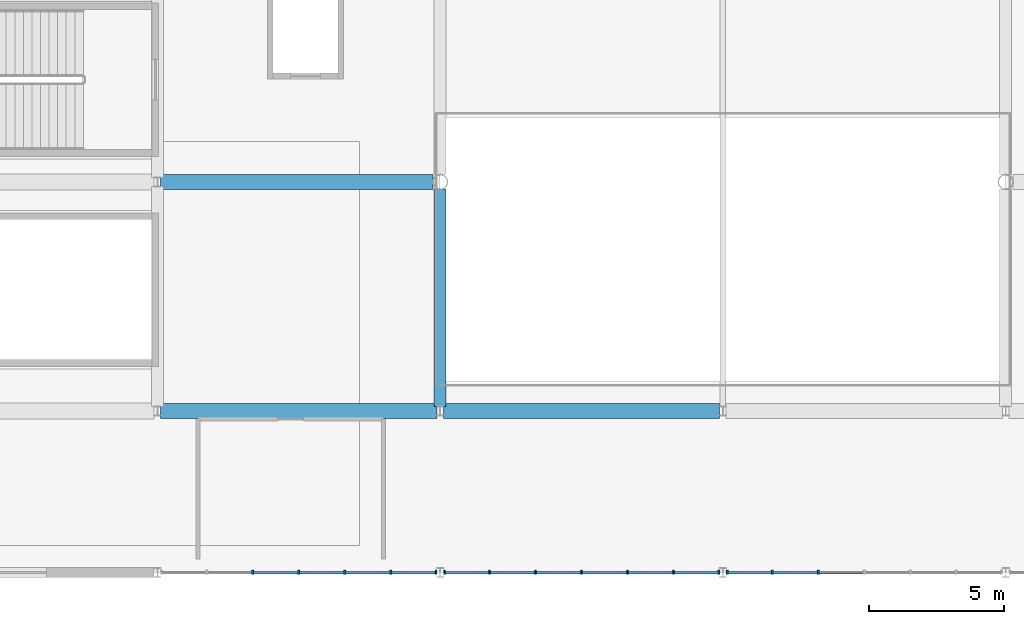
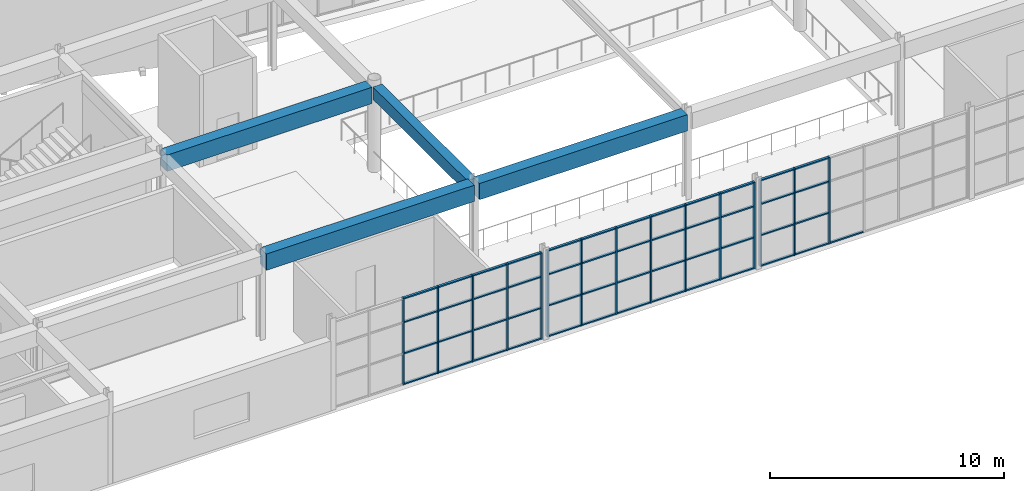
# One storey, part 25 of 112: 64 members, 4 beams, 3 elements without a shape of their own.
"""IFC4 building model written with IfcOpenShell, lengths in metres."""

from ifc_helpers import new_model, si_unit, direction, frame, origin, origin_2d, place, context, subcontext, project, spatial, rectangle, extrude, material, material_profile, profile_set, type_object, element, aggregate, save


model = new_model("IFC4")

# Units and contexts
model_context = context("Model", 3, precision=1e-05, world=origin(), true_north=direction((0.0, 1.0)))
body_context = subcontext(model_context, "Body", "Model", "MODEL_VIEW")
ifc_project = project(units=[si_unit("LENGTHUNIT", "METRE"), si_unit("AREAUNIT", "SQUARE_METRE"), si_unit("VOLUMEUNIT", "CUBIC_METRE"), si_unit("PLANEANGLEUNIT", "RADIAN"), si_unit("MASSUNIT", "GRAM", prefix="KILO")], contexts=[model_context])

# Site, building, storey
site_placement = place(None, origin())
site = spatial("IfcSite", under=ifc_project, at=site_placement, CompositionType="ELEMENT")
building_placement = place(site_placement, origin())
building = spatial("IfcBuilding", under=site, at=building_placement, Name="Cuetzalor Civic Arena", CompositionType="ELEMENT")
storey_placement = place(building_placement, frame((0.0, 0.0, 11.39990234375)))
storey = spatial("IfcBuildingStorey", under=building, at=storey_placement, Name="L02", CompositionType="ELEMENT", Elevation=11.39990234375)

# Beams
ifc_material_1 = material(Name="Concrete C40/50", Category="concrete")
ifc_material_profile_1 = material_profile(ifc_material_1, rectangle(XDim=0.550048828125, YDim=0.85009765625, at=origin_2d()), Name="RC 550x850")
ifc_profile_set_1 = profile_set([ifc_material_profile_1], Name="Concrete C40/50")
beam_type_1 = type_object("IfcBeamType", Name="ConcreteFrameBeam_550x850", PredefinedType="BEAM", material=ifc_profile_set_1)
for number, where, z_axis, x_axis, name in (
    (1, (-20.881591796875, -65.5, 4.09521484375), (1.0, 0.0, 0.0), (0.0, 1.0, 0.0), "Frame Girder V3-L02-X0581"),
    (2, (-10.381591796875, -65.5, 4.09521484375), (1.0, 0.0, 0.0), (0.0, 1.0, 0.0), "Frame Girder V3-L02-X0582"),
):
    element("IfcBeam", number, at=place(storey_placement, frame(where, z_axis=z_axis, x_axis=x_axis)), inside=storey, type_object=beam_type_1, Name=name, PredefinedType="BEAM", context=body_context, shape_type="SweptSolid", body=[
        extrude(rectangle(XDim=0.550048828125, YDim=0.85009765625, at=origin_2d()), origin(), (0.0, 0.0, 1.0), 10.26318359375),
    ])
beam_1_placement = place(storey_placement, frame((-20.881591796875, -57.0, 4.09521484375), z_axis=(1.0, 0.0, 0.0), x_axis=(0.0, 1.0, 0.0)))
element("IfcBeam", 3, at=beam_1_placement, inside=storey, type_object=beam_type_1, Name="Frame Girder V3-L02-X0589", PredefinedType="BEAM", context=body_context, shape_type="SweptSolid", body=[
    extrude(rectangle(XDim=0.550048828125, YDim=0.85009765625, at=origin_2d()), origin(), (0.0, 0.0, 1.0), 10.112060546875),
])
ifc_material_2 = material(Name="Concrete C40/50", Category="concrete")
ifc_material_profile_2 = material_profile(ifc_material_2, rectangle(XDim=0.449951171875, YDim=0.64990234375, at=origin_2d()), Name="RC 450x650")
ifc_profile_set_2 = profile_set([ifc_material_profile_2], Name="Concrete C40/50")
beam_type_2 = type_object("IfcBeamType", Name="ConcreteTieBeam_450x650", PredefinedType="BEAM", material=ifc_profile_set_2)
beam_2_placement = place(storey_placement, frame((-10.5, -65.32861328125, 4.195068359375), z_axis=(0.0, 1.0, 0.0), x_axis=(-1.0, 0.0, 0.0)))
element("IfcBeam", 4, at=beam_2_placement, inside=storey, type_object=beam_type_2, Name="Frame Girder V3-L02-Y0609", PredefinedType="BEAM", context=body_context, shape_type="SweptSolid", body=[
    extrude(rectangle(XDim=0.449951171875, YDim=0.64990234375, at=origin_2d()), origin(), (0.0, 0.0, 1.0), 8.05908203125),
])

# Curtain wall, members
ifc_material_3 = material(Name="Anodised dark bronze aluminium and low-E solar glass", Category="aluminium")
curtain_wall_type = type_object("IfcCurtainWallType", Name="StickCW_10250x4500", PredefinedType="USERDEFINED", material=ifc_material_3)
curtain_wall_1_placement = place(storey_placement, origin())
curtain_wall_1 = element("IfcCurtainWall", 5, at=curtain_wall_1_placement, inside=storey, type_object=curtain_wall_type, Name="South Civic Square Curtain Wall L02-087", ObjectType="STICK CURTAIN WALL", PredefinedType="USERDEFINED")
ifc_material_4 = material(Name="Anodised dark bronze aluminium", Category="aluminium")
ifc_material_profile_3 = material_profile(ifc_material_4, rectangle(XDim=0.06494140625, YDim=0.14990234375, at=origin_2d()), Name="ALU MULLION 65x150")
ifc_profile_set_3 = profile_set([ifc_material_profile_3], Name="Anodised dark bronze aluminium")
member_type_1 = type_object("IfcMemberType", Name="CurtainWallMullion_60x150", PredefinedType="MULLION", material=ifc_profile_set_3)
member_1_placement = place(storey_placement, frame((-10.656982421875, -71.5, 0.0), z_axis=(0.0, 0.0, 1.0), x_axis=(-1.0, 0.0, 0.0)))
member_1 = element("IfcMember", 6, at=member_1_placement, type_object=member_type_1, Name="CW-27 mullion 1", PredefinedType="MULLION", context=body_context, shape_type="SweptSolid", body=[
    extrude(rectangle(XDim=0.06494140625, YDim=0.14990234375, at=origin_2d()), origin(), (0.0, 0.0, 1.0), 4.52001953125),
])
member_2_placement = place(storey_placement, frame((-12.3330078125, -71.5, 0.0), z_axis=(0.0, 0.0, 1.0), x_axis=(-1.0, 0.0, 0.0)))
member_2 = element("IfcMember", 7, at=member_2_placement, type_object=member_type_1, Name="CW-27 mullion 2", PredefinedType="MULLION", context=body_context, shape_type="SweptSolid", body=[
    extrude(rectangle(XDim=0.06494140625, YDim=0.14990234375, at=origin_2d()), origin(), (0.0, 0.0, 1.0), 4.52001953125),
])
member_3_placement = place(storey_placement, frame((-14.04150390625, -71.5, 0.0), z_axis=(0.0, 0.0, 1.0), x_axis=(-1.0, 0.0, 0.0)))
member_3 = element("IfcMember", 8, at=member_3_placement, type_object=member_type_1, Name="CW-27 mullion 3", PredefinedType="MULLION", context=body_context, shape_type="SweptSolid", body=[
    extrude(rectangle(XDim=0.06494140625, YDim=0.14990234375, at=origin_2d()), origin(), (0.0, 0.0, 1.0), 4.52001953125),
])
member_4_placement = place(storey_placement, frame((-15.75, -71.5, 0.0), z_axis=(0.0, 0.0, 1.0), x_axis=(-1.0, 0.0, 0.0)))
member_4 = element("IfcMember", 9, at=member_4_placement, type_object=member_type_1, Name="CW-27 mullion 4", PredefinedType="MULLION", context=body_context, shape_type="SweptSolid", body=[
    extrude(rectangle(XDim=0.06494140625, YDim=0.14990234375, at=origin_2d()), origin(), (0.0, 0.0, 1.0), 4.52001953125),
])
member_5_placement = place(storey_placement, frame((-17.45849609375, -71.5, 0.0), z_axis=(0.0, 0.0, 1.0), x_axis=(-1.0, 0.0, 0.0)))
member_5 = element("IfcMember", 10, at=member_5_placement, type_object=member_type_1, Name="CW-27 mullion 5", PredefinedType="MULLION", context=body_context, shape_type="SweptSolid", body=[
    extrude(rectangle(XDim=0.06494140625, YDim=0.14990234375, at=origin_2d()), origin(), (0.0, 0.0, 1.0), 4.52001953125),
])

curtain_wall_2_placement = place(storey_placement, origin())
curtain_wall_2 = element("IfcCurtainWall", 11, at=curtain_wall_2_placement, inside=storey, type_object=curtain_wall_type, Name="South Civic Square Curtain Wall L02-088", ObjectType="STICK CURTAIN WALL", PredefinedType="USERDEFINED")
member_6_placement = place(storey_placement, frame((-0.156982421875, -71.5, 0.0), z_axis=(0.0, 0.0, 1.0), x_axis=(-1.0, 0.0, 0.0)))
member_6 = element("IfcMember", 12, at=member_6_placement, type_object=member_type_1, Name="CW-27 mullion 1", PredefinedType="MULLION", context=body_context, shape_type="SweptSolid", body=[
    extrude(rectangle(XDim=0.06494140625, YDim=0.14990234375, at=origin_2d()), origin(), (0.0, 0.0, 1.0), 4.52001953125),
])
member_7_placement = place(storey_placement, frame((-1.8330078125, -71.5, 0.0), z_axis=(0.0, 0.0, 1.0), x_axis=(-1.0, 0.0, 0.0)))
member_7 = element("IfcMember", 13, at=member_7_placement, type_object=member_type_1, Name="CW-27 mullion 2", PredefinedType="MULLION", context=body_context, shape_type="SweptSolid", body=[
    extrude(rectangle(XDim=0.06494140625, YDim=0.14990234375, at=origin_2d()), origin(), (0.0, 0.0, 1.0), 4.52001953125),
])
member_8_placement = place(storey_placement, frame((-3.54150390625, -71.5, 0.0), z_axis=(0.0, 0.0, 1.0), x_axis=(-1.0, 0.0, 0.0)))
member_8 = element("IfcMember", 14, at=member_8_placement, type_object=member_type_1, Name="CW-27 mullion 3", PredefinedType="MULLION", context=body_context, shape_type="SweptSolid", body=[
    extrude(rectangle(XDim=0.06494140625, YDim=0.14990234375, at=origin_2d()), origin(), (0.0, 0.0, 1.0), 4.52001953125),
])
member_9_placement = place(storey_placement, frame((-5.25, -71.5, 0.0), z_axis=(0.0, 0.0, 1.0), x_axis=(-1.0, 0.0, 0.0)))
member_9 = element("IfcMember", 15, at=member_9_placement, type_object=member_type_1, Name="CW-27 mullion 4", PredefinedType="MULLION", context=body_context, shape_type="SweptSolid", body=[
    extrude(rectangle(XDim=0.06494140625, YDim=0.14990234375, at=origin_2d()), origin(), (0.0, 0.0, 1.0), 4.52001953125),
])
member_10_placement = place(storey_placement, frame((-6.95849609375, -71.5, 0.0), z_axis=(0.0, 0.0, 1.0), x_axis=(-1.0, 0.0, 0.0)))
member_10 = element("IfcMember", 16, at=member_10_placement, type_object=member_type_1, Name="CW-27 mullion 5", PredefinedType="MULLION", context=body_context, shape_type="SweptSolid", body=[
    extrude(rectangle(XDim=0.06494140625, YDim=0.14990234375, at=origin_2d()), origin(), (0.0, 0.0, 1.0), 4.52001953125),
])
member_11_placement = place(storey_placement, frame((-8.6669921875, -71.5, 0.0), z_axis=(0.0, 0.0, 1.0), x_axis=(-1.0, 0.0, 0.0)))
member_11 = element("IfcMember", 17, at=member_11_placement, type_object=member_type_1, Name="CW-27 mullion 6", PredefinedType="MULLION", context=body_context, shape_type="SweptSolid", body=[
    extrude(rectangle(XDim=0.06494140625, YDim=0.14990234375, at=origin_2d()), origin(), (0.0, 0.0, 1.0), 4.52001953125),
])
member_12_placement = place(storey_placement, frame((-10.343017578125, -71.5, 0.0), z_axis=(0.0, 0.0, 1.0), x_axis=(-1.0, 0.0, 0.0)))
member_12 = element("IfcMember", 18, at=member_12_placement, type_object=member_type_1, Name="CW-27 mullion 7", PredefinedType="MULLION", context=body_context, shape_type="SweptSolid", body=[
    extrude(rectangle(XDim=0.06494140625, YDim=0.14990234375, at=origin_2d()), origin(), (0.0, 0.0, 1.0), 4.52001953125),
])

curtain_wall_3_placement = place(storey_placement, origin())
curtain_wall_3 = element("IfcCurtainWall", 19, at=curtain_wall_3_placement, inside=storey, type_object=curtain_wall_type, Name="South Civic Square Curtain Wall L02-089", ObjectType="STICK CURTAIN WALL", PredefinedType="USERDEFINED")
member_13_placement = place(storey_placement, frame((3.54150390625, -71.5, 0.0), z_axis=(0.0, 0.0, 1.0), x_axis=(-1.0, 0.0, 0.0)))
member_13 = element("IfcMember", 20, at=member_13_placement, type_object=member_type_1, Name="CW-27 mullion 5", PredefinedType="MULLION", context=body_context, shape_type="SweptSolid", body=[
    extrude(rectangle(XDim=0.06494140625, YDim=0.14990234375, at=origin_2d()), origin(), (0.0, 0.0, 1.0), 4.52001953125),
])
member_14_placement = place(storey_placement, frame((1.8330078125, -71.5, 0.0), z_axis=(0.0, 0.0, 1.0), x_axis=(-1.0, 0.0, 0.0)))
member_14 = element("IfcMember", 21, at=member_14_placement, type_object=member_type_1, Name="CW-27 mullion 6", PredefinedType="MULLION", context=body_context, shape_type="SweptSolid", body=[
    extrude(rectangle(XDim=0.06494140625, YDim=0.14990234375, at=origin_2d()), origin(), (0.0, 0.0, 1.0), 4.52001953125),
])
member_15_placement = place(storey_placement, frame((0.156982421875, -71.5, 0.0), z_axis=(0.0, 0.0, 1.0), x_axis=(-1.0, 0.0, 0.0)))
member_15 = element("IfcMember", 22, at=member_15_placement, type_object=member_type_1, Name="CW-27 mullion 7", PredefinedType="MULLION", context=body_context, shape_type="SweptSolid", body=[
    extrude(rectangle(XDim=0.06494140625, YDim=0.14990234375, at=origin_2d()), origin(), (0.0, 0.0, 1.0), 4.52001953125),
])

# Member
ifc_material_5 = material(Name="Anodised dark bronze aluminium", Category="aluminium")
ifc_material_profile_4 = material_profile(ifc_material_5, rectangle(XDim=0.1201171875, YDim=0.06494140625, at=origin_2d()), Name="ALU TRANSOM 65x120")
ifc_profile_set_4 = profile_set([ifc_material_profile_4], Name="Anodised dark bronze aluminium")
member_type_2 = type_object("IfcMemberType", Name="CurtainWallTransom_60x120", PredefinedType="USERDEFINED", material=ifc_profile_set_4)
member_16_placement = place(storey_placement, frame((-10.689453125, -71.5, 0.03271484375), z_axis=(-1.0, 0.0, 0.0), x_axis=(0.0, -1.0, 0.0)))
member_16 = element("IfcMember", 23, at=member_16_placement, type_object=member_type_2, Name="CW-27 transom 1.1", ObjectType="TRANSOM", PredefinedType="USERDEFINED", context=body_context, shape_type="SweptSolid", body=[
    extrude(rectangle(XDim=0.1201171875, YDim=0.06494140625, at=origin_2d()), origin(), (0.0, 0.0, 1.0), 1.611083984375),
])

member_17_placement = place(storey_placement, frame((-10.689453125, -71.5, 1.627197265625), z_axis=(-1.0, 0.0, 0.0), x_axis=(0.0, -1.0, 0.0)))
member_17 = element("IfcMember", 24, at=member_17_placement, type_object=member_type_2, Name="CW-27 transom 1.2", ObjectType="TRANSOM", PredefinedType="USERDEFINED", context=body_context, shape_type="SweptSolid", body=[
    extrude(rectangle(XDim=0.1201171875, YDim=0.06494140625, at=origin_2d()), origin(), (0.0, 0.0, 1.0), 1.611083984375),
])

member_18_placement = place(storey_placement, frame((-10.689453125, -71.5, 3.254150390625), z_axis=(-1.0, 0.0, 0.0), x_axis=(0.0, -1.0, 0.0)))
member_18 = element("IfcMember", 25, at=member_18_placement, type_object=member_type_2, Name="CW-27 transom 1.3", ObjectType="TRANSOM", PredefinedType="USERDEFINED", context=body_context, shape_type="SweptSolid", body=[
    extrude(rectangle(XDim=0.1201171875, YDim=0.06494140625, at=origin_2d()), origin(), (0.0, 0.0, 1.0), 1.611083984375),
])

member_19_placement = place(storey_placement, frame((-10.689453125, -71.5, 4.487548828125), z_axis=(-1.0, 0.0, 0.0), x_axis=(0.0, -1.0, 0.0)))
member_19 = element("IfcMember", 26, at=member_19_placement, type_object=member_type_2, Name="CW-27 transom 1.4", ObjectType="TRANSOM", PredefinedType="USERDEFINED", context=body_context, shape_type="SweptSolid", body=[
    extrude(rectangle(XDim=0.1201171875, YDim=0.06494140625, at=origin_2d()), origin(), (0.0, 0.0, 1.0), 1.611083984375),
])

member_20_placement = place(storey_placement, frame((-12.365478515625, -71.5, 0.03271484375), z_axis=(-1.0, 0.0, 0.0), x_axis=(0.0, -1.0, 0.0)))
member_20 = element("IfcMember", 27, at=member_20_placement, type_object=member_type_2, Name="CW-27 transom 2.1", ObjectType="TRANSOM", PredefinedType="USERDEFINED", context=body_context, shape_type="SweptSolid", body=[
    extrude(rectangle(XDim=0.1201171875, YDim=0.06494140625, at=origin_2d()), origin(), (0.0, 0.0, 1.0), 1.6435546875),
])

member_21_placement = place(storey_placement, frame((-12.365478515625, -71.5, 1.627197265625), z_axis=(-1.0, 0.0, 0.0), x_axis=(0.0, -1.0, 0.0)))
member_21 = element("IfcMember", 28, at=member_21_placement, type_object=member_type_2, Name="CW-27 transom 2.2", ObjectType="TRANSOM", PredefinedType="USERDEFINED", context=body_context, shape_type="SweptSolid", body=[
    extrude(rectangle(XDim=0.1201171875, YDim=0.06494140625, at=origin_2d()), origin(), (0.0, 0.0, 1.0), 1.6435546875),
])

member_22_placement = place(storey_placement, frame((-12.365478515625, -71.5, 3.254150390625), z_axis=(-1.0, 0.0, 0.0), x_axis=(0.0, -1.0, 0.0)))
member_22 = element("IfcMember", 29, at=member_22_placement, type_object=member_type_2, Name="CW-27 transom 2.3", ObjectType="TRANSOM", PredefinedType="USERDEFINED", context=body_context, shape_type="SweptSolid", body=[
    extrude(rectangle(XDim=0.1201171875, YDim=0.06494140625, at=origin_2d()), origin(), (0.0, 0.0, 1.0), 1.6435546875),
])

member_23_placement = place(storey_placement, frame((-12.365478515625, -71.5, 4.487548828125), z_axis=(-1.0, 0.0, 0.0), x_axis=(0.0, -1.0, 0.0)))
member_23 = element("IfcMember", 30, at=member_23_placement, type_object=member_type_2, Name="CW-27 transom 2.4", ObjectType="TRANSOM", PredefinedType="USERDEFINED", context=body_context, shape_type="SweptSolid", body=[
    extrude(rectangle(XDim=0.1201171875, YDim=0.06494140625, at=origin_2d()), origin(), (0.0, 0.0, 1.0), 1.6435546875),
])

member_24_placement = place(storey_placement, frame((-14.073974609375, -71.5, 0.03271484375), z_axis=(-1.0, 0.0, 0.0), x_axis=(0.0, -1.0, 0.0)))
member_24 = element("IfcMember", 31, at=member_24_placement, type_object=member_type_2, Name="CW-27 transom 3.1", ObjectType="TRANSOM", PredefinedType="USERDEFINED", context=body_context, shape_type="SweptSolid", body=[
    extrude(rectangle(XDim=0.1201171875, YDim=0.06494140625, at=origin_2d()), origin(), (0.0, 0.0, 1.0), 1.6435546875),
])

member_25_placement = place(storey_placement, frame((-14.073974609375, -71.5, 1.627197265625), z_axis=(-1.0, 0.0, 0.0), x_axis=(0.0, -1.0, 0.0)))
member_25 = element("IfcMember", 32, at=member_25_placement, type_object=member_type_2, Name="CW-27 transom 3.2", ObjectType="TRANSOM", PredefinedType="USERDEFINED", context=body_context, shape_type="SweptSolid", body=[
    extrude(rectangle(XDim=0.1201171875, YDim=0.06494140625, at=origin_2d()), origin(), (0.0, 0.0, 1.0), 1.6435546875),
])

member_26_placement = place(storey_placement, frame((-14.073974609375, -71.5, 3.254150390625), z_axis=(-1.0, 0.0, 0.0), x_axis=(0.0, -1.0, 0.0)))
member_26 = element("IfcMember", 33, at=member_26_placement, type_object=member_type_2, Name="CW-27 transom 3.3", ObjectType="TRANSOM", PredefinedType="USERDEFINED", context=body_context, shape_type="SweptSolid", body=[
    extrude(rectangle(XDim=0.1201171875, YDim=0.06494140625, at=origin_2d()), origin(), (0.0, 0.0, 1.0), 1.6435546875),
])

member_27_placement = place(storey_placement, frame((-14.073974609375, -71.5, 4.487548828125), z_axis=(-1.0, 0.0, 0.0), x_axis=(0.0, -1.0, 0.0)))
member_27 = element("IfcMember", 34, at=member_27_placement, type_object=member_type_2, Name="CW-27 transom 3.4", ObjectType="TRANSOM", PredefinedType="USERDEFINED", context=body_context, shape_type="SweptSolid", body=[
    extrude(rectangle(XDim=0.1201171875, YDim=0.06494140625, at=origin_2d()), origin(), (0.0, 0.0, 1.0), 1.6435546875),
])

member_28_placement = place(storey_placement, frame((-15.782470703125, -71.5, 0.03271484375), z_axis=(-1.0, 0.0, 0.0), x_axis=(0.0, -1.0, 0.0)))
member_28 = element("IfcMember", 35, at=member_28_placement, type_object=member_type_2, Name="CW-27 transom 4.1", ObjectType="TRANSOM", PredefinedType="USERDEFINED", context=body_context, shape_type="SweptSolid", body=[
    extrude(rectangle(XDim=0.1201171875, YDim=0.06494140625, at=origin_2d()), origin(), (0.0, 0.0, 1.0), 1.6435546875),
])

member_29_placement = place(storey_placement, frame((-15.782470703125, -71.5, 1.627197265625), z_axis=(-1.0, 0.0, 0.0), x_axis=(0.0, -1.0, 0.0)))
member_29 = element("IfcMember", 36, at=member_29_placement, type_object=member_type_2, Name="CW-27 transom 4.2", ObjectType="TRANSOM", PredefinedType="USERDEFINED", context=body_context, shape_type="SweptSolid", body=[
    extrude(rectangle(XDim=0.1201171875, YDim=0.06494140625, at=origin_2d()), origin(), (0.0, 0.0, 1.0), 1.6435546875),
])

member_30_placement = place(storey_placement, frame((-15.782470703125, -71.5, 3.254150390625), z_axis=(-1.0, 0.0, 0.0), x_axis=(0.0, -1.0, 0.0)))
member_30 = element("IfcMember", 37, at=member_30_placement, type_object=member_type_2, Name="CW-27 transom 4.3", ObjectType="TRANSOM", PredefinedType="USERDEFINED", context=body_context, shape_type="SweptSolid", body=[
    extrude(rectangle(XDim=0.1201171875, YDim=0.06494140625, at=origin_2d()), origin(), (0.0, 0.0, 1.0), 1.6435546875),
])

member_31_placement = place(storey_placement, frame((-15.782470703125, -71.5, 4.487548828125), z_axis=(-1.0, 0.0, 0.0), x_axis=(0.0, -1.0, 0.0)))
member_31 = element("IfcMember", 38, at=member_31_placement, type_object=member_type_2, Name="CW-27 transom 4.4", ObjectType="TRANSOM", PredefinedType="USERDEFINED", context=body_context, shape_type="SweptSolid", body=[
    extrude(rectangle(XDim=0.1201171875, YDim=0.06494140625, at=origin_2d()), origin(), (0.0, 0.0, 1.0), 1.6435546875),
])

aggregate(curtain_wall_1, [member_1, member_2, member_3, member_4, member_5, member_16, member_17, member_18, member_19, member_20, member_21, member_22, member_23, member_24, member_25, member_26, member_27, member_28, member_29, member_30, member_31])

member_32_placement = place(storey_placement, frame((-0.189453125, -71.5, 0.03271484375), z_axis=(-1.0, 0.0, 0.0), x_axis=(0.0, -1.0, 0.0)))
member_32 = element("IfcMember", 39, at=member_32_placement, type_object=member_type_2, Name="CW-27 transom 1.1", ObjectType="TRANSOM", PredefinedType="USERDEFINED", context=body_context, shape_type="SweptSolid", body=[
    extrude(rectangle(XDim=0.1201171875, YDim=0.06494140625, at=origin_2d()), origin(), (0.0, 0.0, 1.0), 1.611083984375),
])

member_33_placement = place(storey_placement, frame((-0.189453125, -71.5, 1.627197265625), z_axis=(-1.0, 0.0, 0.0), x_axis=(0.0, -1.0, 0.0)))
member_33 = element("IfcMember", 40, at=member_33_placement, type_object=member_type_2, Name="CW-27 transom 1.2", ObjectType="TRANSOM", PredefinedType="USERDEFINED", context=body_context, shape_type="SweptSolid", body=[
    extrude(rectangle(XDim=0.1201171875, YDim=0.06494140625, at=origin_2d()), origin(), (0.0, 0.0, 1.0), 1.611083984375),
])

member_34_placement = place(storey_placement, frame((-0.189453125, -71.5, 3.254150390625), z_axis=(-1.0, 0.0, 0.0), x_axis=(0.0, -1.0, 0.0)))
member_34 = element("IfcMember", 41, at=member_34_placement, type_object=member_type_2, Name="CW-27 transom 1.3", ObjectType="TRANSOM", PredefinedType="USERDEFINED", context=body_context, shape_type="SweptSolid", body=[
    extrude(rectangle(XDim=0.1201171875, YDim=0.06494140625, at=origin_2d()), origin(), (0.0, 0.0, 1.0), 1.611083984375),
])

member_35_placement = place(storey_placement, frame((-0.189453125, -71.5, 4.487548828125), z_axis=(-1.0, 0.0, 0.0), x_axis=(0.0, -1.0, 0.0)))
member_35 = element("IfcMember", 42, at=member_35_placement, type_object=member_type_2, Name="CW-27 transom 1.4", ObjectType="TRANSOM", PredefinedType="USERDEFINED", context=body_context, shape_type="SweptSolid", body=[
    extrude(rectangle(XDim=0.1201171875, YDim=0.06494140625, at=origin_2d()), origin(), (0.0, 0.0, 1.0), 1.611083984375),
])

member_36_placement = place(storey_placement, frame((-1.865478515625, -71.5, 0.03271484375), z_axis=(-1.0, 0.0, 0.0), x_axis=(0.0, -1.0, 0.0)))
member_36 = element("IfcMember", 43, at=member_36_placement, type_object=member_type_2, Name="CW-27 transom 2.1", ObjectType="TRANSOM", PredefinedType="USERDEFINED", context=body_context, shape_type="SweptSolid", body=[
    extrude(rectangle(XDim=0.1201171875, YDim=0.06494140625, at=origin_2d()), origin(), (0.0, 0.0, 1.0), 1.6435546875),
])

member_37_placement = place(storey_placement, frame((-1.865478515625, -71.5, 1.627197265625), z_axis=(-1.0, 0.0, 0.0), x_axis=(0.0, -1.0, 0.0)))
member_37 = element("IfcMember", 44, at=member_37_placement, type_object=member_type_2, Name="CW-27 transom 2.2", ObjectType="TRANSOM", PredefinedType="USERDEFINED", context=body_context, shape_type="SweptSolid", body=[
    extrude(rectangle(XDim=0.1201171875, YDim=0.06494140625, at=origin_2d()), origin(), (0.0, 0.0, 1.0), 1.6435546875),
])

member_38_placement = place(storey_placement, frame((-1.865478515625, -71.5, 3.254150390625), z_axis=(-1.0, 0.0, 0.0), x_axis=(0.0, -1.0, 0.0)))
member_38 = element("IfcMember", 45, at=member_38_placement, type_object=member_type_2, Name="CW-27 transom 2.3", ObjectType="TRANSOM", PredefinedType="USERDEFINED", context=body_context, shape_type="SweptSolid", body=[
    extrude(rectangle(XDim=0.1201171875, YDim=0.06494140625, at=origin_2d()), origin(), (0.0, 0.0, 1.0), 1.6435546875),
])

member_39_placement = place(storey_placement, frame((-1.865478515625, -71.5, 4.487548828125), z_axis=(-1.0, 0.0, 0.0), x_axis=(0.0, -1.0, 0.0)))
member_39 = element("IfcMember", 46, at=member_39_placement, type_object=member_type_2, Name="CW-27 transom 2.4", ObjectType="TRANSOM", PredefinedType="USERDEFINED", context=body_context, shape_type="SweptSolid", body=[
    extrude(rectangle(XDim=0.1201171875, YDim=0.06494140625, at=origin_2d()), origin(), (0.0, 0.0, 1.0), 1.6435546875),
])

member_40_placement = place(storey_placement, frame((-3.573974609375, -71.5, 0.03271484375), z_axis=(-1.0, 0.0, 0.0), x_axis=(0.0, -1.0, 0.0)))
member_40 = element("IfcMember", 47, at=member_40_placement, type_object=member_type_2, Name="CW-27 transom 3.1", ObjectType="TRANSOM", PredefinedType="USERDEFINED", context=body_context, shape_type="SweptSolid", body=[
    extrude(rectangle(XDim=0.1201171875, YDim=0.06494140625, at=origin_2d()), origin(), (0.0, 0.0, 1.0), 1.6435546875),
])

member_41_placement = place(storey_placement, frame((-3.573974609375, -71.5, 1.627197265625), z_axis=(-1.0, 0.0, 0.0), x_axis=(0.0, -1.0, 0.0)))
member_41 = element("IfcMember", 48, at=member_41_placement, type_object=member_type_2, Name="CW-27 transom 3.2", ObjectType="TRANSOM", PredefinedType="USERDEFINED", context=body_context, shape_type="SweptSolid", body=[
    extrude(rectangle(XDim=0.1201171875, YDim=0.06494140625, at=origin_2d()), origin(), (0.0, 0.0, 1.0), 1.6435546875),
])

member_42_placement = place(storey_placement, frame((-3.573974609375, -71.5, 3.254150390625), z_axis=(-1.0, 0.0, 0.0), x_axis=(0.0, -1.0, 0.0)))
member_42 = element("IfcMember", 49, at=member_42_placement, type_object=member_type_2, Name="CW-27 transom 3.3", ObjectType="TRANSOM", PredefinedType="USERDEFINED", context=body_context, shape_type="SweptSolid", body=[
    extrude(rectangle(XDim=0.1201171875, YDim=0.06494140625, at=origin_2d()), origin(), (0.0, 0.0, 1.0), 1.6435546875),
])

member_43_placement = place(storey_placement, frame((-3.573974609375, -71.5, 4.487548828125), z_axis=(-1.0, 0.0, 0.0), x_axis=(0.0, -1.0, 0.0)))
member_43 = element("IfcMember", 50, at=member_43_placement, type_object=member_type_2, Name="CW-27 transom 3.4", ObjectType="TRANSOM", PredefinedType="USERDEFINED", context=body_context, shape_type="SweptSolid", body=[
    extrude(rectangle(XDim=0.1201171875, YDim=0.06494140625, at=origin_2d()), origin(), (0.0, 0.0, 1.0), 1.6435546875),
])

member_44_placement = place(storey_placement, frame((-5.282470703125, -71.5, 0.03271484375), z_axis=(-1.0, 0.0, 0.0), x_axis=(0.0, -1.0, 0.0)))
member_44 = element("IfcMember", 51, at=member_44_placement, type_object=member_type_2, Name="CW-27 transom 4.1", ObjectType="TRANSOM", PredefinedType="USERDEFINED", context=body_context, shape_type="SweptSolid", body=[
    extrude(rectangle(XDim=0.1201171875, YDim=0.06494140625, at=origin_2d()), origin(), (0.0, 0.0, 1.0), 1.6435546875),
])

member_45_placement = place(storey_placement, frame((-5.282470703125, -71.5, 1.627197265625), z_axis=(-1.0, 0.0, 0.0), x_axis=(0.0, -1.0, 0.0)))
member_45 = element("IfcMember", 52, at=member_45_placement, type_object=member_type_2, Name="CW-27 transom 4.2", ObjectType="TRANSOM", PredefinedType="USERDEFINED", context=body_context, shape_type="SweptSolid", body=[
    extrude(rectangle(XDim=0.1201171875, YDim=0.06494140625, at=origin_2d()), origin(), (0.0, 0.0, 1.0), 1.6435546875),
])

member_46_placement = place(storey_placement, frame((-5.282470703125, -71.5, 3.254150390625), z_axis=(-1.0, 0.0, 0.0), x_axis=(0.0, -1.0, 0.0)))
member_46 = element("IfcMember", 53, at=member_46_placement, type_object=member_type_2, Name="CW-27 transom 4.3", ObjectType="TRANSOM", PredefinedType="USERDEFINED", context=body_context, shape_type="SweptSolid", body=[
    extrude(rectangle(XDim=0.1201171875, YDim=0.06494140625, at=origin_2d()), origin(), (0.0, 0.0, 1.0), 1.6435546875),
])

member_47_placement = place(storey_placement, frame((-5.282470703125, -71.5, 4.487548828125), z_axis=(-1.0, 0.0, 0.0), x_axis=(0.0, -1.0, 0.0)))
member_47 = element("IfcMember", 54, at=member_47_placement, type_object=member_type_2, Name="CW-27 transom 4.4", ObjectType="TRANSOM", PredefinedType="USERDEFINED", context=body_context, shape_type="SweptSolid", body=[
    extrude(rectangle(XDim=0.1201171875, YDim=0.06494140625, at=origin_2d()), origin(), (0.0, 0.0, 1.0), 1.6435546875),
])

member_48_placement = place(storey_placement, frame((-6.990966796875, -71.5, 0.03271484375), z_axis=(-1.0, 0.0, 0.0), x_axis=(0.0, -1.0, 0.0)))
member_48 = element("IfcMember", 55, at=member_48_placement, type_object=member_type_2, Name="CW-27 transom 5.1", ObjectType="TRANSOM", PredefinedType="USERDEFINED", context=body_context, shape_type="SweptSolid", body=[
    extrude(rectangle(XDim=0.1201171875, YDim=0.06494140625, at=origin_2d()), origin(), (0.0, 0.0, 1.0), 1.6435546875),
])

member_49_placement = place(storey_placement, frame((-6.990966796875, -71.5, 1.627197265625), z_axis=(-1.0, 0.0, 0.0), x_axis=(0.0, -1.0, 0.0)))
member_49 = element("IfcMember", 56, at=member_49_placement, type_object=member_type_2, Name="CW-27 transom 5.2", ObjectType="TRANSOM", PredefinedType="USERDEFINED", context=body_context, shape_type="SweptSolid", body=[
    extrude(rectangle(XDim=0.1201171875, YDim=0.06494140625, at=origin_2d()), origin(), (0.0, 0.0, 1.0), 1.6435546875),
])

member_50_placement = place(storey_placement, frame((-6.990966796875, -71.5, 3.254150390625), z_axis=(-1.0, 0.0, 0.0), x_axis=(0.0, -1.0, 0.0)))
member_50 = element("IfcMember", 57, at=member_50_placement, type_object=member_type_2, Name="CW-27 transom 5.3", ObjectType="TRANSOM", PredefinedType="USERDEFINED", context=body_context, shape_type="SweptSolid", body=[
    extrude(rectangle(XDim=0.1201171875, YDim=0.06494140625, at=origin_2d()), origin(), (0.0, 0.0, 1.0), 1.6435546875),
])

member_51_placement = place(storey_placement, frame((-6.990966796875, -71.5, 4.487548828125), z_axis=(-1.0, 0.0, 0.0), x_axis=(0.0, -1.0, 0.0)))
member_51 = element("IfcMember", 58, at=member_51_placement, type_object=member_type_2, Name="CW-27 transom 5.4", ObjectType="TRANSOM", PredefinedType="USERDEFINED", context=body_context, shape_type="SweptSolid", body=[
    extrude(rectangle(XDim=0.1201171875, YDim=0.06494140625, at=origin_2d()), origin(), (0.0, 0.0, 1.0), 1.6435546875),
])

member_52_placement = place(storey_placement, frame((-8.699462890625, -71.5, 0.03271484375), z_axis=(-1.0, 0.0, 0.0), x_axis=(0.0, -1.0, 0.0)))
member_52 = element("IfcMember", 59, at=member_52_placement, type_object=member_type_2, Name="CW-27 transom 6.1", ObjectType="TRANSOM", PredefinedType="USERDEFINED", context=body_context, shape_type="SweptSolid", body=[
    extrude(rectangle(XDim=0.1201171875, YDim=0.06494140625, at=origin_2d()), origin(), (0.0, 0.0, 1.0), 1.611083984375),
])

member_53_placement = place(storey_placement, frame((-8.699462890625, -71.5, 1.627197265625), z_axis=(-1.0, 0.0, 0.0), x_axis=(0.0, -1.0, 0.0)))
member_53 = element("IfcMember", 60, at=member_53_placement, type_object=member_type_2, Name="CW-27 transom 6.2", ObjectType="TRANSOM", PredefinedType="USERDEFINED", context=body_context, shape_type="SweptSolid", body=[
    extrude(rectangle(XDim=0.1201171875, YDim=0.06494140625, at=origin_2d()), origin(), (0.0, 0.0, 1.0), 1.611083984375),
])

member_54_placement = place(storey_placement, frame((-8.699462890625, -71.5, 3.254150390625), z_axis=(-1.0, 0.0, 0.0), x_axis=(0.0, -1.0, 0.0)))
member_54 = element("IfcMember", 61, at=member_54_placement, type_object=member_type_2, Name="CW-27 transom 6.3", ObjectType="TRANSOM", PredefinedType="USERDEFINED", context=body_context, shape_type="SweptSolid", body=[
    extrude(rectangle(XDim=0.1201171875, YDim=0.06494140625, at=origin_2d()), origin(), (0.0, 0.0, 1.0), 1.611083984375),
])

member_55_placement = place(storey_placement, frame((-8.699462890625, -71.5, 4.487548828125), z_axis=(-1.0, 0.0, 0.0), x_axis=(0.0, -1.0, 0.0)))
member_55 = element("IfcMember", 62, at=member_55_placement, type_object=member_type_2, Name="CW-27 transom 6.4", ObjectType="TRANSOM", PredefinedType="USERDEFINED", context=body_context, shape_type="SweptSolid", body=[
    extrude(rectangle(XDim=0.1201171875, YDim=0.06494140625, at=origin_2d()), origin(), (0.0, 0.0, 1.0), 1.611083984375),
])

aggregate(curtain_wall_2, [member_6, member_7, member_8, member_9, member_10, member_11, member_12, member_32, member_33, member_34, member_35, member_36, member_37, member_38, member_39, member_40, member_41, member_42, member_43, member_44, member_45, member_46, member_47, member_48, member_49, member_50, member_51, member_52, member_53, member_54, member_55])

member_56_placement = place(storey_placement, frame((5.217529296875, -71.5, 0.03271484375), z_axis=(-1.0, 0.0, 0.0), x_axis=(0.0, -1.0, 0.0)))
member_56 = element("IfcMember", 63, at=member_56_placement, type_object=member_type_2, Name="CW-27 transom 4.1", ObjectType="TRANSOM", PredefinedType="USERDEFINED", context=body_context, shape_type="SweptSolid", body=[
    extrude(rectangle(XDim=0.1201171875, YDim=0.06494140625, at=origin_2d()), origin(), (0.0, 0.0, 1.0), 1.6435546875),
])

member_57_placement = place(storey_placement, frame((3.509033203125, -71.5, 0.03271484375), z_axis=(-1.0, 0.0, 0.0), x_axis=(0.0, -1.0, 0.0)))
member_57 = element("IfcMember", 64, at=member_57_placement, type_object=member_type_2, Name="CW-27 transom 5.1", ObjectType="TRANSOM", PredefinedType="USERDEFINED", context=body_context, shape_type="SweptSolid", body=[
    extrude(rectangle(XDim=0.1201171875, YDim=0.06494140625, at=origin_2d()), origin(), (0.0, 0.0, 1.0), 1.6435546875),
])

member_58_placement = place(storey_placement, frame((3.509033203125, -71.5, 1.627197265625), z_axis=(-1.0, 0.0, 0.0), x_axis=(0.0, -1.0, 0.0)))
member_58 = element("IfcMember", 65, at=member_58_placement, type_object=member_type_2, Name="CW-27 transom 5.2", ObjectType="TRANSOM", PredefinedType="USERDEFINED", context=body_context, shape_type="SweptSolid", body=[
    extrude(rectangle(XDim=0.1201171875, YDim=0.06494140625, at=origin_2d()), origin(), (0.0, 0.0, 1.0), 1.6435546875),
])

member_59_placement = place(storey_placement, frame((3.509033203125, -71.5, 3.254150390625), z_axis=(-1.0, 0.0, 0.0), x_axis=(0.0, -1.0, 0.0)))
member_59 = element("IfcMember", 66, at=member_59_placement, type_object=member_type_2, Name="CW-27 transom 5.3", ObjectType="TRANSOM", PredefinedType="USERDEFINED", context=body_context, shape_type="SweptSolid", body=[
    extrude(rectangle(XDim=0.1201171875, YDim=0.06494140625, at=origin_2d()), origin(), (0.0, 0.0, 1.0), 1.6435546875),
])

member_60_placement = place(storey_placement, frame((3.509033203125, -71.5, 4.487548828125), z_axis=(-1.0, 0.0, 0.0), x_axis=(0.0, -1.0, 0.0)))
member_60 = element("IfcMember", 67, at=member_60_placement, type_object=member_type_2, Name="CW-27 transom 5.4", ObjectType="TRANSOM", PredefinedType="USERDEFINED", context=body_context, shape_type="SweptSolid", body=[
    extrude(rectangle(XDim=0.1201171875, YDim=0.06494140625, at=origin_2d()), origin(), (0.0, 0.0, 1.0), 1.6435546875),
])

member_61_placement = place(storey_placement, frame((1.800537109375, -71.5, 0.03271484375), z_axis=(-1.0, 0.0, 0.0), x_axis=(0.0, -1.0, 0.0)))
member_61 = element("IfcMember", 68, at=member_61_placement, type_object=member_type_2, Name="CW-27 transom 6.1", ObjectType="TRANSOM", PredefinedType="USERDEFINED", context=body_context, shape_type="SweptSolid", body=[
    extrude(rectangle(XDim=0.1201171875, YDim=0.06494140625, at=origin_2d()), origin(), (0.0, 0.0, 1.0), 1.611083984375),
])

member_62_placement = place(storey_placement, frame((1.800537109375, -71.5, 1.627197265625), z_axis=(-1.0, 0.0, 0.0), x_axis=(0.0, -1.0, 0.0)))
member_62 = element("IfcMember", 69, at=member_62_placement, type_object=member_type_2, Name="CW-27 transom 6.2", ObjectType="TRANSOM", PredefinedType="USERDEFINED", context=body_context, shape_type="SweptSolid", body=[
    extrude(rectangle(XDim=0.1201171875, YDim=0.06494140625, at=origin_2d()), origin(), (0.0, 0.0, 1.0), 1.611083984375),
])

member_63_placement = place(storey_placement, frame((1.800537109375, -71.5, 3.254150390625), z_axis=(-1.0, 0.0, 0.0), x_axis=(0.0, -1.0, 0.0)))
member_63 = element("IfcMember", 70, at=member_63_placement, type_object=member_type_2, Name="CW-27 transom 6.3", ObjectType="TRANSOM", PredefinedType="USERDEFINED", context=body_context, shape_type="SweptSolid", body=[
    extrude(rectangle(XDim=0.1201171875, YDim=0.06494140625, at=origin_2d()), origin(), (0.0, 0.0, 1.0), 1.611083984375),
])

member_64_placement = place(storey_placement, frame((1.800537109375, -71.5, 4.487548828125), z_axis=(-1.0, 0.0, 0.0), x_axis=(0.0, -1.0, 0.0)))
member_64 = element("IfcMember", 71, at=member_64_placement, type_object=member_type_2, Name="CW-27 transom 6.4", ObjectType="TRANSOM", PredefinedType="USERDEFINED", context=body_context, shape_type="SweptSolid", body=[
    extrude(rectangle(XDim=0.1201171875, YDim=0.06494140625, at=origin_2d()), origin(), (0.0, 0.0, 1.0), 1.611083984375),
])

aggregate(curtain_wall_3, [member_13, member_14, member_15, member_56, member_57, member_58, member_59, member_60, member_61, member_62, member_63, member_64])

save(model, "model.ifc")
